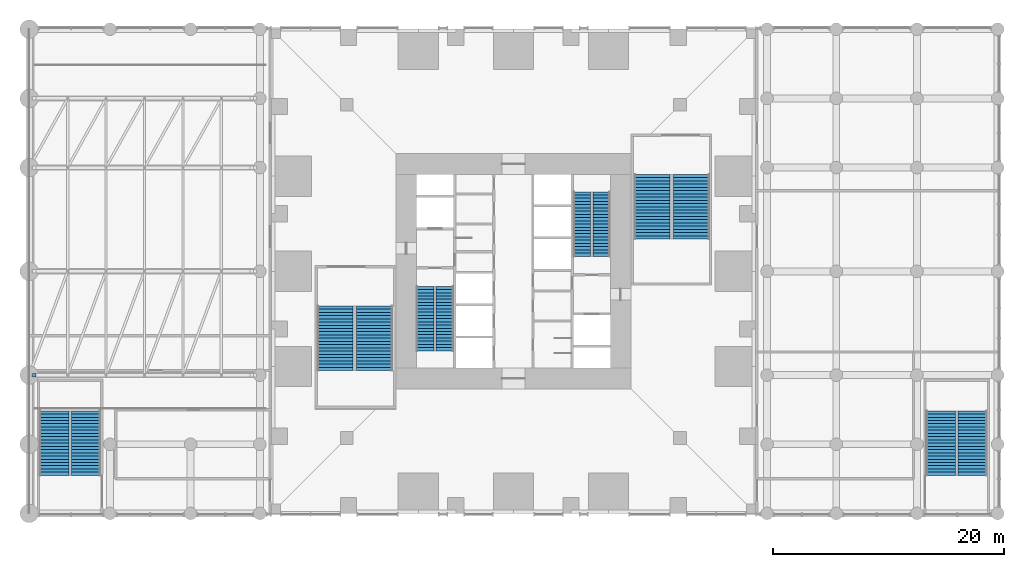
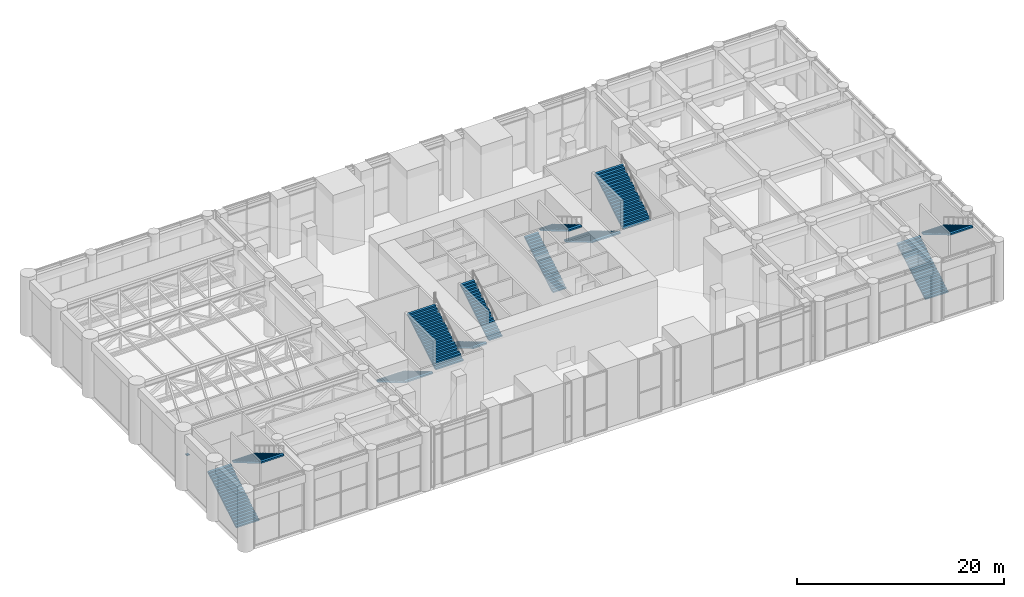
# One storey, part 24 of 30: 12 stair flights, 1 discrete accessory, 6 elements without a shape of their own.
"""IFC4 building model written with IfcOpenShell, lengths in metres."""

import ifcopenshell
import ifcopenshell.guid

model = None  # the IFC model being written
_history = None  # IfcOwnerHistory: only IFC2X3 demands one
_inside = {}  # id of a spatial element -> (the spatial element, [elements in it])
_under = {}  # id of a project, library or spatial element -> (it, [spatial elements below it])
_declared = {}  # id of a project -> (the project, [libraries it declares])
_typed = {}  # id of a type object -> (the type object, [elements of that type])
_made_of = {}  # id of a material, layer set ... -> (it, [elements and type objects made of it])


def new_model(schema):
    """Start an empty IFC model of exactly this schema.

    Asked for "IFC4X3", IfcOpenShell would pick the latest addendum, in which some entities
    have other attributes; the version numbers below select the first issue.
    IFC2X3 requires an IfcOwnerHistory on every rooted entity: one is made here for all.
    """
    global model, _history
    if schema == "IFC4X3":
        model = ifcopenshell.file(schema_version=(4, 3, 0, 0))
    else:
        model = ifcopenshell.file(schema=schema)
    _inside.clear()
    _under.clear()
    _declared.clear()
    _typed.clear()
    _made_of.clear()
    _history = None
    if model.schema == "IFC2X3":
        org = make("IfcOrganization", Name="unknown")
        user = make(
            "IfcPersonAndOrganization",
            ThePerson=make("IfcPerson", FamilyName="unknown"),
            TheOrganization=org,
        )
        app = make(
            "IfcApplication",
            ApplicationDeveloper=org,
            Version="unknown",
            ApplicationFullName="unknown",
            ApplicationIdentifier="unknown",
        )
        _history = make(
            "IfcOwnerHistory",
            OwningUser=user,
            OwningApplication=app,
            ChangeAction="ADDED",
            CreationDate=0,
        )
    return model


def make(cls, **values):
    """One entity of the class cls with the attributes given. An attribute that is None is left unset."""
    return model.create_entity(
        cls, **{name: value for name, value in values.items() if value is not None}
    )


def rooted(cls, **values):
    """An entity with a GlobalId (a new one), such as an element, a storey or a relation."""
    return make(cls, GlobalId=ifcopenshell.guid.new(), OwnerHistory=_history, **values)


def si_unit(unit_type, name, prefix=None):
    """IfcSIUnit, for example si_unit("LENGTHUNIT", "METRE", prefix="MILLI")."""
    return make("IfcSIUnit", UnitType=unit_type, Prefix=prefix, Name=name)


def assignment(units):
    """IfcUnitAssignment: the units of a project."""
    return None if units is None else make("IfcUnitAssignment", Units=units)


def point(xyz):
    """IfcCartesianPoint."""
    return None if xyz is None else make("IfcCartesianPoint", Coordinates=xyz)


def direction(xyz):
    """IfcDirection."""
    return None if xyz is None else make("IfcDirection", DirectionRatios=xyz)


def frame(location, z_axis=None, x_axis=None):
    """IfcAxis2Placement3D, a coordinate frame: its origin and axes. An axis left out is left unset."""
    return make(
        "IfcAxis2Placement3D",
        Location=point(location),
        Axis=direction(z_axis),
        RefDirection=direction(x_axis),
    )


def frame_2d(location, x_axis=None):
    """IfcAxis2Placement2D, a coordinate frame in the plane: its origin and x axis."""
    return make(
        "IfcAxis2Placement2D", Location=point(location), RefDirection=direction(x_axis)
    )


def origin():
    """The frame at (0, 0, 0) with its axes left unset."""
    return frame((0.0, 0.0, 0.0))


def origin_2d():
    """The frame at (0, 0) in the plane with its x axis left unset."""
    return frame_2d((0.0, 0.0))


def place(relative_to, where):
    """IfcLocalPlacement: puts the frame where relative to a parent placement (None: the world)."""
    return make(
        "IfcLocalPlacement", PlacementRelTo=relative_to, RelativePlacement=where
    )


def context(
    kind, dimensions, precision=None, world=None, true_north=None, identifier=None
):
    """IfcGeometricRepresentationContext, for example the 3D "Model" context."""
    return make(
        "IfcGeometricRepresentationContext",
        ContextIdentifier=identifier,
        ContextType=kind,
        CoordinateSpaceDimension=dimensions,
        Precision=precision,
        WorldCoordinateSystem=world,
        TrueNorth=true_north,
    )


def subcontext(parent, identifier, kind, view, scale=None):
    """IfcGeometricRepresentationSubContext, for example "Body" below "Model"."""
    return make(
        "IfcGeometricRepresentationSubContext",
        ContextIdentifier=identifier,
        ContextType=kind,
        ParentContext=parent,
        TargetScale=scale,
        TargetView=view,
    )


def project(units=None, contexts=None):
    """IfcProject with its units and contexts."""
    return rooted(
        "IfcProject",
        Name="project",
        RepresentationContexts=contexts,
        UnitsInContext=assignment(units),
    )


def spatial(cls, under=None, at=None, **own):
    """A site, building, storey or space (cls), placed at a placement, below another one or the project."""
    s = rooted(cls, ObjectPlacement=at, **own)
    if under is not None:
        _under.setdefault(under.id(), (under, []))[1].append(s)
    return s


def polyline(points):
    """IfcPolyline through the points."""
    return make("IfcPolyline", Points=[point(p) for p in points])


def profile(cls, at=None, kind="AREA", **sizes):
    """A parametric profile (cls). Its sizes go by their IFC names, for example OverallWidth=200.0."""
    return make(cls, ProfileType=kind, Position=at, **sizes)


def rectangle(**sizes):
    """IfcRectangleProfileDef."""
    return profile("IfcRectangleProfileDef", **sizes)


def outline(outer, holes=None, kind="AREA"):
    """IfcArbitraryClosedProfileDef: a profile drawn as a closed curve; with holes, ...WithVoids."""
    if holes is None:
        return make("IfcArbitraryClosedProfileDef", ProfileType=kind, OuterCurve=outer)
    return make(
        "IfcArbitraryProfileDefWithVoids",
        ProfileType=kind,
        OuterCurve=outer,
        InnerCurves=holes,
    )


def extrude(swept, where, along, depth):
    """IfcExtrudedAreaSolid: the profile swept, set in the frame where, extruded along a direction by depth."""
    return make(
        "IfcExtrudedAreaSolid",
        SweptArea=swept,
        Position=where,
        ExtrudedDirection=direction(along),
        Depth=depth,
    )


def shape(context_of_items, identifier, shape_type, items):
    """IfcShapeRepresentation: the items that make up one representation, for example the "Body"."""
    return make(
        "IfcShapeRepresentation",
        ContextOfItems=context_of_items,
        RepresentationIdentifier=identifier,
        RepresentationType=shape_type,
        Items=items,
    )


def material(Name=None, Category=None):
    """IfcMaterial."""
    return make("IfcMaterial", Name=Name, Category=Category)


def made_of(thing, what):
    """Note that an element or type object is made of a material, layer set ...; save() writes the relation."""
    if what is not None:
        _made_of.setdefault(what.id(), (what, []))[1].append(thing)
    return thing


def type_object(cls, material=None, **own):
    """A type object (cls), such as IfcWallType, which elements share."""
    return made_of(rooted(cls, **own), material)


def element(
    cls,
    number,
    at=None,
    inside=None,
    cuts=None,
    type_object=None,
    material=None,
    context=None,
    identifier="Body",
    shape_type=None,
    held_by="IfcProductDefinitionShape",
    body=None,
    shapes=None,
    **own,
):
    """One element of the class cls, such as IfcWall. Its Tag is "e" and its number.

    at: its placement. inside: the storey or other place that contains it. cuts: it is an
    opening in that element (IfcRelVoidsElement). A single representation is given by context,
    identifier, shape_type and body (its items); several are given by shapes. held_by: the class
    of the entity that holds the representations. save() writes the other relations.
    """
    e = rooted(cls, Tag="e%d" % number, ObjectPlacement=at, **own)
    if body is not None:
        shapes = [shape(context, identifier, shape_type, body)]
    if shapes is not None:
        e.Representation = make(held_by, Representations=shapes)
    if inside is not None:
        _inside.setdefault(inside.id(), (inside, []))[1].append(e)
    if cuts is not None:
        rooted(
            "IfcRelVoidsElement", RelatingBuildingElement=cuts, RelatedOpeningElement=e
        )
    if type_object is not None:
        _typed.setdefault(type_object.id(), (type_object, []))[1].append(e)
    return made_of(e, material)


def aggregate(whole, parts):
    """IfcRelAggregates: a whole, such as a stair, and the parts it consists of."""
    return rooted("IfcRelAggregates", RelatingObject=whole, RelatedObjects=parts)


def save(model, path):
    """Write the relations noted so far, then the file.

    IfcRelAggregates (storeys below a building ...), IfcRelContainedInSpatialStructure (elements
    in a storey), IfcRelDefinesByType, IfcRelAssociatesMaterial and IfcRelDeclares: one each for
    every whole, place, type object, material and project.
    """
    for whole, parts in _under.values():
        aggregate(whole, parts)
    for where, things in _inside.values():
        rooted(
            "IfcRelContainedInSpatialStructure",
            RelatedElements=things,
            RelatingStructure=where,
        )
    for kind, things in _typed.values():
        rooted("IfcRelDefinesByType", RelatedObjects=things, RelatingType=kind)
    for what, things in _made_of.values():
        rooted("IfcRelAssociatesMaterial", RelatedObjects=things, RelatingMaterial=what)
    for by, libraries in _declared.values():
        rooted("IfcRelDeclares", RelatingContext=by, RelatedDefinitions=libraries)
    model.write(path)


model = new_model("IFC4")

# Units and contexts
model_context = context("Model", 3, precision=1e-05, world=origin(), true_north=direction((0.0, 1.0)))
body_context = subcontext(model_context, "Body", "Model", "MODEL_VIEW")
ifc_project = project(units=[si_unit("LENGTHUNIT", "METRE"), si_unit("AREAUNIT", "SQUARE_METRE"), si_unit("VOLUMEUNIT", "CUBIC_METRE"), si_unit("PLANEANGLEUNIT", "RADIAN"), si_unit("MASSUNIT", "GRAM", prefix="KILO")], contexts=[model_context])

# Site, building, storey
site_placement = place(None, origin())
site = spatial("IfcSite", under=ifc_project, at=site_placement, CompositionType="ELEMENT")
building_placement = place(site_placement, origin())
building = spatial("IfcBuilding", under=site, at=building_placement, Name="Svetlomir Tower", CompositionType="ELEMENT")
storey_placement = place(building_placement, frame((0.0, 0.0, 11.0)))
storey = spatial("IfcBuildingStorey", under=building, at=storey_placement, Name="L02", CompositionType="ELEMENT", Elevation=11.0)

# Stair, stair flights
ifc_material_1 = material(Name="Concrete C60/75", Category="concrete")
stair_type_1 = type_object("IfcStairType", Name="EXIT STAIR 3200 RISE 7000", PredefinedType="HALF_TURN_STAIR", material=ifc_material_1)
stair_1_placement = place(storey_placement, origin())
stair_1 = element("IfcStair", 1, at=stair_1_placement, inside=storey, type_object=stair_type_1, Name="Stair S1 L02 to L03", PredefinedType="HALF_TURN_STAIR")
ifc_material_2 = material(Name="Concrete C60/75", Category="concrete")
stair_flight_type_1 = type_object("IfcStairFlightType", Name="STAIR FLIGHT 1500 OF 21 RISERS", PredefinedType="STRAIGHT", material=ifc_material_2)
stair_flight_1_placement = place(storey_placement, frame((13.35009765625, 19.699951171875, 0.0), z_axis=(0.0, 0.0, 1.0), x_axis=(0.0, -1.0, 0.0)))
stair_flight_1 = element("IfcStairFlight", 2, at=stair_flight_1_placement, type_object=stair_flight_type_1, Name="S1 flight 1", NumberOfRisers=21, NumberOfTreads=20, PredefinedType="STRAIGHT", RiserHeight=0.166666667, TreadLength=0.28, context=body_context, shape_type="SweptSolid", body=[
    extrude(outline(polyline([(0.0, 0.0), (0.0, 0.166748046875), (0.280029296875, 0.166748046875), (0.280029296875, 0.333251953125), (0.56005859375, 0.333251953125), (0.56005859375, 0.5), (0.840087890625, 0.5), (0.840087890625, 0.666748046875), (1.1201171875, 0.666748046875), (1.1201171875, 0.833251953125), (1.39990234375, 0.833251953125), (1.39990234375, 1.0), (1.679931640625, 1.0), (1.679931640625, 1.166748046875), (1.9599609375, 1.166748046875), (1.9599609375, 1.333251953125), (2.239990234375, 1.333251953125), (2.239990234375, 1.5), (2.52001953125, 1.5), (2.52001953125, 1.666748046875), (2.800048828125, 1.666748046875), (2.800048828125, 1.833251953125), (3.080078125, 1.833251953125), (3.080078125, 2.0), (3.360107421875, 2.0), (3.360107421875, 2.166748046875), (3.639892578125, 2.166748046875), (3.639892578125, 2.333251953125), (3.919921875, 2.333251953125), (3.919921875, 2.5), (4.199951171875, 2.5), (4.199951171875, 2.666748046875), (4.47998046875, 2.666748046875), (4.47998046875, 2.833251953125), (4.760009765625, 2.833251953125), (4.760009765625, 3.0), (5.0400390625, 3.0), (5.0400390625, 3.166748046875), (5.320068359375, 3.166748046875), (5.320068359375, 3.333251953125), (5.60009765625, 3.333251953125), (5.60009765625, 3.5), (5.60009765625, 3.158935546875), (0.29296875, 0.0), (0.0, 0.0)])), frame((0.0, 0.75, 0.0), z_axis=(0.0, -1.0, 0.0), x_axis=(1.0, 0.0, 0.0)), (0.0, 0.0, 1.0), 1.5),
])
stair_flight_2_placement = place(storey_placement, frame((15.050048828125, 14.10009765625, 3.5), z_axis=(0.0, 0.0, 1.0), x_axis=(0.0, 1.0, 0.0)))
stair_flight_2 = element("IfcStairFlight", 3, at=stair_flight_2_placement, type_object=stair_flight_type_1, Name="S1 flight 2", NumberOfRisers=21, NumberOfTreads=20, PredefinedType="STRAIGHT", RiserHeight=0.166666667, TreadLength=0.28, context=body_context, shape_type="SweptSolid", body=[
    extrude(outline(polyline([(0.0, 0.0), (0.0, 0.166748046875), (0.280029296875, 0.166748046875), (0.280029296875, 0.333251953125), (0.56005859375, 0.333251953125), (0.56005859375, 0.5), (0.840087890625, 0.5), (0.840087890625, 0.666748046875), (1.1201171875, 0.666748046875), (1.1201171875, 0.833251953125), (1.39990234375, 0.833251953125), (1.39990234375, 1.0), (1.679931640625, 1.0), (1.679931640625, 1.166748046875), (1.9599609375, 1.166748046875), (1.9599609375, 1.333251953125), (2.239990234375, 1.333251953125), (2.239990234375, 1.5), (2.52001953125, 1.5), (2.52001953125, 1.666748046875), (2.800048828125, 1.666748046875), (2.800048828125, 1.833251953125), (3.080078125, 1.833251953125), (3.080078125, 2.0), (3.360107421875, 2.0), (3.360107421875, 2.166748046875), (3.639892578125, 2.166748046875), (3.639892578125, 2.333251953125), (3.919921875, 2.333251953125), (3.919921875, 2.5), (4.199951171875, 2.5), (4.199951171875, 2.666748046875), (4.47998046875, 2.666748046875), (4.47998046875, 2.833251953125), (4.760009765625, 2.833251953125), (4.760009765625, 3.0), (5.0400390625, 3.0), (5.0400390625, 3.166748046875), (5.320068359375, 3.166748046875), (5.320068359375, 3.333251953125), (5.60009765625, 3.333251953125), (5.60009765625, 3.5), (5.60009765625, 3.158935546875), (0.29296875, 0.0), (0.0, 0.0)])), frame((0.0, 0.75, 0.0), z_axis=(0.0, -1.0, 0.0), x_axis=(1.0, 0.0, 0.0)), (0.0, 0.0, 1.0), 1.5),
])
aggregate(stair_1, [stair_flight_1, stair_flight_2])

stair_2_placement = place(storey_placement, origin())
stair_2 = element("IfcStair", 4, at=stair_2_placement, inside=storey, type_object=stair_type_1, Name="Stair S2 L02 to L03", PredefinedType="HALF_TURN_STAIR")
stair_flight_3_placement = place(storey_placement, frame((26.949951171875, 22.300048828125, 0.0), z_axis=(0.0, 0.0, 1.0), x_axis=(0.0, 1.0, 0.0)))
stair_flight_3 = element("IfcStairFlight", 5, at=stair_flight_3_placement, type_object=stair_flight_type_1, Name="S2 flight 1", NumberOfRisers=21, NumberOfTreads=20, PredefinedType="STRAIGHT", RiserHeight=0.166666667, TreadLength=0.28, context=body_context, shape_type="SweptSolid", body=[
    extrude(outline(polyline([(0.0, 0.0), (0.0, 0.166748046875), (0.280029296875, 0.166748046875), (0.280029296875, 0.333251953125), (0.56005859375, 0.333251953125), (0.56005859375, 0.5), (0.840087890625, 0.5), (0.840087890625, 0.666748046875), (1.1201171875, 0.666748046875), (1.1201171875, 0.833251953125), (1.39990234375, 0.833251953125), (1.39990234375, 1.0), (1.679931640625, 1.0), (1.679931640625, 1.166748046875), (1.9599609375, 1.166748046875), (1.9599609375, 1.333251953125), (2.239990234375, 1.333251953125), (2.239990234375, 1.5), (2.52001953125, 1.5), (2.52001953125, 1.666748046875), (2.800048828125, 1.666748046875), (2.800048828125, 1.833251953125), (3.080078125, 1.833251953125), (3.080078125, 2.0), (3.360107421875, 2.0), (3.360107421875, 2.166748046875), (3.639892578125, 2.166748046875), (3.639892578125, 2.333251953125), (3.919921875, 2.333251953125), (3.919921875, 2.5), (4.199951171875, 2.5), (4.199951171875, 2.666748046875), (4.47998046875, 2.666748046875), (4.47998046875, 2.833251953125), (4.760009765625, 2.833251953125), (4.760009765625, 3.0), (5.0400390625, 3.0), (5.0400390625, 3.166748046875), (5.320068359375, 3.166748046875), (5.320068359375, 3.333251953125), (5.60009765625, 3.333251953125), (5.60009765625, 3.5), (5.60009765625, 3.158935546875), (0.29296875, 0.0), (0.0, 0.0)])), frame((0.0, 0.75, 0.0), z_axis=(0.0, -1.0, 0.0), x_axis=(1.0, 0.0, 0.0)), (0.0, 0.0, 1.0), 1.5),
])
stair_flight_4_placement = place(storey_placement, frame((28.64990234375, 27.89990234375, 3.5), z_axis=(0.0, 0.0, 1.0), x_axis=(0.0, -1.0, 0.0)))
stair_flight_4 = element("IfcStairFlight", 6, at=stair_flight_4_placement, type_object=stair_flight_type_1, Name="S2 flight 2", NumberOfRisers=21, NumberOfTreads=20, PredefinedType="STRAIGHT", RiserHeight=0.166666667, TreadLength=0.28, context=body_context, shape_type="SweptSolid", body=[
    extrude(outline(polyline([(0.0, 0.0), (0.0, 0.166748046875), (0.280029296875, 0.166748046875), (0.280029296875, 0.333251953125), (0.56005859375, 0.333251953125), (0.56005859375, 0.5), (0.840087890625, 0.5), (0.840087890625, 0.666748046875), (1.1201171875, 0.666748046875), (1.1201171875, 0.833251953125), (1.39990234375, 0.833251953125), (1.39990234375, 1.0), (1.679931640625, 1.0), (1.679931640625, 1.166748046875), (1.9599609375, 1.166748046875), (1.9599609375, 1.333251953125), (2.239990234375, 1.333251953125), (2.239990234375, 1.5), (2.52001953125, 1.5), (2.52001953125, 1.666748046875), (2.800048828125, 1.666748046875), (2.800048828125, 1.833251953125), (3.080078125, 1.833251953125), (3.080078125, 2.0), (3.360107421875, 2.0), (3.360107421875, 2.166748046875), (3.639892578125, 2.166748046875), (3.639892578125, 2.333251953125), (3.919921875, 2.333251953125), (3.919921875, 2.5), (4.199951171875, 2.5), (4.199951171875, 2.666748046875), (4.47998046875, 2.666748046875), (4.47998046875, 2.833251953125), (4.760009765625, 2.833251953125), (4.760009765625, 3.0), (5.0400390625, 3.0), (5.0400390625, 3.166748046875), (5.320068359375, 3.166748046875), (5.320068359375, 3.333251953125), (5.60009765625, 3.333251953125), (5.60009765625, 3.5), (5.60009765625, 3.158935546875), (0.29296875, 0.0), (0.0, 0.0)])), frame((0.0, 0.75, 0.0), z_axis=(0.0, -1.0, 0.0), x_axis=(1.0, 0.0, 0.0)), (0.0, 0.0, 1.0), 1.5),
])
aggregate(stair_2, [stair_flight_3, stair_flight_4])

ifc_material_3 = material(Name="Concrete C60/75", Category="concrete")
stair_type_2 = type_object("IfcStairType", Name="EXIT STAIR 5300 RISE 7000", PredefinedType="HALF_TURN_STAIR", material=ifc_material_3)
stair_3_placement = place(storey_placement, origin())
stair_3 = element("IfcStair", 7, at=stair_3_placement, inside=storey, type_object=stair_type_2, Name="Stair P3 L02 to L03", PredefinedType="HALF_TURN_STAIR")
ifc_material_4 = material(Name="Concrete C60/75", Category="concrete")
stair_flight_type_2 = type_object("IfcStairFlightType", Name="STAIR FLIGHT 2550 OF 21 RISERS", PredefinedType="STRAIGHT", material=ifc_material_4)
stair_flight_5_placement = place(storey_placement, frame((-18.824951171875, 3.300048828125, 0.0), z_axis=(0.0, 0.0, 1.0), x_axis=(0.0, 1.0, 0.0)))
stair_flight_5 = element("IfcStairFlight", 8, at=stair_flight_5_placement, type_object=stair_flight_type_2, Name="P3 flight 1", NumberOfRisers=21, NumberOfTreads=20, PredefinedType="STRAIGHT", RiserHeight=0.166666667, TreadLength=0.28, context=body_context, shape_type="SweptSolid", body=[
    extrude(outline(polyline([(0.0, 0.0), (0.0, 0.166748046875), (0.280029296875, 0.166748046875), (0.280029296875, 0.333251953125), (0.56005859375, 0.333251953125), (0.56005859375, 0.5), (0.840087890625, 0.5), (0.840087890625, 0.666748046875), (1.1201171875, 0.666748046875), (1.1201171875, 0.833251953125), (1.39990234375, 0.833251953125), (1.39990234375, 1.0), (1.679931640625, 1.0), (1.679931640625, 1.166748046875), (1.9599609375, 1.166748046875), (1.9599609375, 1.333251953125), (2.239990234375, 1.333251953125), (2.239990234375, 1.5), (2.52001953125, 1.5), (2.52001953125, 1.666748046875), (2.800048828125, 1.666748046875), (2.800048828125, 1.833251953125), (3.080078125, 1.833251953125), (3.080078125, 2.0), (3.360107421875, 2.0), (3.360107421875, 2.166748046875), (3.639892578125, 2.166748046875), (3.639892578125, 2.333251953125), (3.919921875, 2.333251953125), (3.919921875, 2.5), (4.199951171875, 2.5), (4.199951171875, 2.666748046875), (4.47998046875, 2.666748046875), (4.47998046875, 2.833251953125), (4.760009765625, 2.833251953125), (4.760009765625, 3.0), (5.0400390625, 3.0), (5.0400390625, 3.166748046875), (5.320068359375, 3.166748046875), (5.320068359375, 3.333251953125), (5.60009765625, 3.333251953125), (5.60009765625, 3.5), (5.60009765625, 3.158935546875), (0.29296875, 0.0), (0.0, 0.0)])), frame((0.0, 1.27490234375, 0.0), z_axis=(0.0, -1.0, 0.0), x_axis=(1.0, 0.0, 0.0)), (0.0, 0.0, 1.0), 2.550048828125),
])
stair_flight_6_placement = place(storey_placement, frame((-16.074951171875, 8.89990234375, 3.5), z_axis=(0.0, 0.0, 1.0), x_axis=(0.0, -1.0, 0.0)))
stair_flight_6 = element("IfcStairFlight", 9, at=stair_flight_6_placement, type_object=stair_flight_type_2, Name="P3 flight 2", NumberOfRisers=21, NumberOfTreads=20, PredefinedType="STRAIGHT", RiserHeight=0.166666667, TreadLength=0.28, context=body_context, shape_type="SweptSolid", body=[
    extrude(outline(polyline([(0.0, 0.0), (0.0, 0.166748046875), (0.280029296875, 0.166748046875), (0.280029296875, 0.333251953125), (0.56005859375, 0.333251953125), (0.56005859375, 0.5), (0.840087890625, 0.5), (0.840087890625, 0.666748046875), (1.1201171875, 0.666748046875), (1.1201171875, 0.833251953125), (1.39990234375, 0.833251953125), (1.39990234375, 1.0), (1.679931640625, 1.0), (1.679931640625, 1.166748046875), (1.9599609375, 1.166748046875), (1.9599609375, 1.333251953125), (2.239990234375, 1.333251953125), (2.239990234375, 1.5), (2.52001953125, 1.5), (2.52001953125, 1.666748046875), (2.800048828125, 1.666748046875), (2.800048828125, 1.833251953125), (3.080078125, 1.833251953125), (3.080078125, 2.0), (3.360107421875, 2.0), (3.360107421875, 2.166748046875), (3.639892578125, 2.166748046875), (3.639892578125, 2.333251953125), (3.919921875, 2.333251953125), (3.919921875, 2.5), (4.199951171875, 2.5), (4.199951171875, 2.666748046875), (4.47998046875, 2.666748046875), (4.47998046875, 2.833251953125), (4.760009765625, 2.833251953125), (4.760009765625, 3.0), (5.0400390625, 3.0), (5.0400390625, 3.166748046875), (5.320068359375, 3.166748046875), (5.320068359375, 3.333251953125), (5.60009765625, 3.333251953125), (5.60009765625, 3.5), (5.60009765625, 3.158935546875), (0.29296875, 0.0), (0.0, 0.0)])), frame((0.0, 1.27490234375, 0.0), z_axis=(0.0, -1.0, 0.0), x_axis=(1.0, 0.0, 0.0)), (0.0, 0.0, 1.0), 2.550048828125),
])
aggregate(stair_3, [stair_flight_5, stair_flight_6])

stair_4_placement = place(storey_placement, origin())
stair_4 = element("IfcStair", 10, at=stair_4_placement, inside=storey, type_object=stair_type_2, Name="Stair P4 L02 to L03", PredefinedType="HALF_TURN_STAIR")
stair_flight_7_placement = place(storey_placement, frame((58.074951171875, 3.300048828125, 0.0), z_axis=(0.0, 0.0, 1.0), x_axis=(0.0, 1.0, 0.0)))
stair_flight_7 = element("IfcStairFlight", 11, at=stair_flight_7_placement, type_object=stair_flight_type_2, Name="P4 flight 1", NumberOfRisers=21, NumberOfTreads=20, PredefinedType="STRAIGHT", RiserHeight=0.166666667, TreadLength=0.28, context=body_context, shape_type="SweptSolid", body=[
    extrude(outline(polyline([(0.0, 0.0), (0.0, 0.166748046875), (0.280029296875, 0.166748046875), (0.280029296875, 0.333251953125), (0.56005859375, 0.333251953125), (0.56005859375, 0.5), (0.840087890625, 0.5), (0.840087890625, 0.666748046875), (1.1201171875, 0.666748046875), (1.1201171875, 0.833251953125), (1.39990234375, 0.833251953125), (1.39990234375, 1.0), (1.679931640625, 1.0), (1.679931640625, 1.166748046875), (1.9599609375, 1.166748046875), (1.9599609375, 1.333251953125), (2.239990234375, 1.333251953125), (2.239990234375, 1.5), (2.52001953125, 1.5), (2.52001953125, 1.666748046875), (2.800048828125, 1.666748046875), (2.800048828125, 1.833251953125), (3.080078125, 1.833251953125), (3.080078125, 2.0), (3.360107421875, 2.0), (3.360107421875, 2.166748046875), (3.639892578125, 2.166748046875), (3.639892578125, 2.333251953125), (3.919921875, 2.333251953125), (3.919921875, 2.5), (4.199951171875, 2.5), (4.199951171875, 2.666748046875), (4.47998046875, 2.666748046875), (4.47998046875, 2.833251953125), (4.760009765625, 2.833251953125), (4.760009765625, 3.0), (5.0400390625, 3.0), (5.0400390625, 3.166748046875), (5.320068359375, 3.166748046875), (5.320068359375, 3.333251953125), (5.60009765625, 3.333251953125), (5.60009765625, 3.5), (5.60009765625, 3.158935546875), (0.29296875, 0.0), (0.0, 0.0)])), frame((0.0, 1.27490234375, 0.0), z_axis=(0.0, -1.0, 0.0), x_axis=(1.0, 0.0, 0.0)), (0.0, 0.0, 1.0), 2.550048828125),
])
stair_flight_8_placement = place(storey_placement, frame((60.824951171875, 8.89990234375, 3.5), z_axis=(0.0, 0.0, 1.0), x_axis=(0.0, -1.0, 0.0)))
stair_flight_8 = element("IfcStairFlight", 12, at=stair_flight_8_placement, type_object=stair_flight_type_2, Name="P4 flight 2", NumberOfRisers=21, NumberOfTreads=20, PredefinedType="STRAIGHT", RiserHeight=0.166666667, TreadLength=0.28, context=body_context, shape_type="SweptSolid", body=[
    extrude(outline(polyline([(0.0, 0.0), (0.0, 0.166748046875), (0.280029296875, 0.166748046875), (0.280029296875, 0.333251953125), (0.56005859375, 0.333251953125), (0.56005859375, 0.5), (0.840087890625, 0.5), (0.840087890625, 0.666748046875), (1.1201171875, 0.666748046875), (1.1201171875, 0.833251953125), (1.39990234375, 0.833251953125), (1.39990234375, 1.0), (1.679931640625, 1.0), (1.679931640625, 1.166748046875), (1.9599609375, 1.166748046875), (1.9599609375, 1.333251953125), (2.239990234375, 1.333251953125), (2.239990234375, 1.5), (2.52001953125, 1.5), (2.52001953125, 1.666748046875), (2.800048828125, 1.666748046875), (2.800048828125, 1.833251953125), (3.080078125, 1.833251953125), (3.080078125, 2.0), (3.360107421875, 2.0), (3.360107421875, 2.166748046875), (3.639892578125, 2.166748046875), (3.639892578125, 2.333251953125), (3.919921875, 2.333251953125), (3.919921875, 2.5), (4.199951171875, 2.5), (4.199951171875, 2.666748046875), (4.47998046875, 2.666748046875), (4.47998046875, 2.833251953125), (4.760009765625, 2.833251953125), (4.760009765625, 3.0), (5.0400390625, 3.0), (5.0400390625, 3.166748046875), (5.320068359375, 3.166748046875), (5.320068359375, 3.333251953125), (5.60009765625, 3.333251953125), (5.60009765625, 3.5), (5.60009765625, 3.158935546875), (0.29296875, 0.0), (0.0, 0.0)])), frame((0.0, 1.27490234375, 0.0), z_axis=(0.0, -1.0, 0.0), x_axis=(1.0, 0.0, 0.0)), (0.0, 0.0, 1.0), 2.550048828125),
])
aggregate(stair_4, [stair_flight_7, stair_flight_8])

ifc_material_5 = material(Name="Concrete C60/75", Category="concrete")
stair_type_3 = type_object("IfcStairType", Name="EXIT STAIR 6600 RISE 7000", PredefinedType="HALF_TURN_STAIR", material=ifc_material_5)
stair_5_placement = place(storey_placement, origin())
stair_5 = element("IfcStair", 13, at=stair_5_placement, inside=storey, type_object=stair_type_3, Name="Stair P1 L02 to L03", PredefinedType="HALF_TURN_STAIR")
ifc_material_6 = material(Name="Concrete C60/75", Category="concrete")
stair_flight_type_3 = type_object("IfcStairFlightType", Name="STAIR FLIGHT 3100 OF 21 RISERS", PredefinedType="STRAIGHT", material=ifc_material_6)
stair_flight_9_placement = place(storey_placement, frame((5.550048828125, 18.0, 0.0), z_axis=(0.0, 0.0, 1.0), x_axis=(0.0, -1.0, 0.0)))
stair_flight_9 = element("IfcStairFlight", 14, at=stair_flight_9_placement, type_object=stair_flight_type_3, Name="P1 flight 1", NumberOfRisers=21, NumberOfTreads=20, PredefinedType="STRAIGHT", RiserHeight=0.166666667, TreadLength=0.28, context=body_context, shape_type="SweptSolid", body=[
    extrude(outline(polyline([(0.0, 0.0), (0.0, 0.166748046875), (0.280029296875, 0.166748046875), (0.280029296875, 0.333251953125), (0.56005859375, 0.333251953125), (0.56005859375, 0.5), (0.840087890625, 0.5), (0.840087890625, 0.666748046875), (1.1201171875, 0.666748046875), (1.1201171875, 0.833251953125), (1.39990234375, 0.833251953125), (1.39990234375, 1.0), (1.679931640625, 1.0), (1.679931640625, 1.166748046875), (1.9599609375, 1.166748046875), (1.9599609375, 1.333251953125), (2.239990234375, 1.333251953125), (2.239990234375, 1.5), (2.52001953125, 1.5), (2.52001953125, 1.666748046875), (2.800048828125, 1.666748046875), (2.800048828125, 1.833251953125), (3.080078125, 1.833251953125), (3.080078125, 2.0), (3.360107421875, 2.0), (3.360107421875, 2.166748046875), (3.639892578125, 2.166748046875), (3.639892578125, 2.333251953125), (3.919921875, 2.333251953125), (3.919921875, 2.5), (4.199951171875, 2.5), (4.199951171875, 2.666748046875), (4.47998046875, 2.666748046875), (4.47998046875, 2.833251953125), (4.760009765625, 2.833251953125), (4.760009765625, 3.0), (5.0400390625, 3.0), (5.0400390625, 3.166748046875), (5.320068359375, 3.166748046875), (5.320068359375, 3.333251953125), (5.60009765625, 3.333251953125), (5.60009765625, 3.5), (5.60009765625, 3.158935546875), (0.29296875, 0.0), (0.0, 0.0)])), frame((0.0, 1.550048828125, 0.0), z_axis=(0.0, -1.0, 0.0), x_axis=(1.0, 0.0, 0.0)), (0.0, 0.0, 1.0), 3.10009765625),
])
stair_flight_10_placement = place(storey_placement, frame((8.949951171875, 12.39990234375, 3.5), z_axis=(0.0, 0.0, 1.0), x_axis=(0.0, 1.0, 0.0)))
stair_flight_10 = element("IfcStairFlight", 15, at=stair_flight_10_placement, type_object=stair_flight_type_3, Name="P1 flight 2", NumberOfRisers=21, NumberOfTreads=20, PredefinedType="STRAIGHT", RiserHeight=0.166666667, TreadLength=0.28, context=body_context, shape_type="SweptSolid", body=[
    extrude(outline(polyline([(0.0, 0.0), (0.0, 0.166748046875), (0.280029296875, 0.166748046875), (0.280029296875, 0.333251953125), (0.56005859375, 0.333251953125), (0.56005859375, 0.5), (0.840087890625, 0.5), (0.840087890625, 0.666748046875), (1.1201171875, 0.666748046875), (1.1201171875, 0.833251953125), (1.39990234375, 0.833251953125), (1.39990234375, 1.0), (1.679931640625, 1.0), (1.679931640625, 1.166748046875), (1.9599609375, 1.166748046875), (1.9599609375, 1.333251953125), (2.239990234375, 1.333251953125), (2.239990234375, 1.5), (2.52001953125, 1.5), (2.52001953125, 1.666748046875), (2.800048828125, 1.666748046875), (2.800048828125, 1.833251953125), (3.080078125, 1.833251953125), (3.080078125, 2.0), (3.360107421875, 2.0), (3.360107421875, 2.166748046875), (3.639892578125, 2.166748046875), (3.639892578125, 2.333251953125), (3.919921875, 2.333251953125), (3.919921875, 2.5), (4.199951171875, 2.5), (4.199951171875, 2.666748046875), (4.47998046875, 2.666748046875), (4.47998046875, 2.833251953125), (4.760009765625, 2.833251953125), (4.760009765625, 3.0), (5.0400390625, 3.0), (5.0400390625, 3.166748046875), (5.320068359375, 3.166748046875), (5.320068359375, 3.333251953125), (5.60009765625, 3.333251953125), (5.60009765625, 3.5), (5.60009765625, 3.158935546875), (0.29296875, 0.0), (0.0, 0.0)])), frame((0.0, 1.550048828125, 0.0), z_axis=(0.0, -1.0, 0.0), x_axis=(1.0, 0.0, 0.0)), (0.0, 0.0, 1.0), 3.10009765625),
])
aggregate(stair_5, [stair_flight_9, stair_flight_10])

stair_6_placement = place(storey_placement, origin())
stair_6 = element("IfcStair", 16, at=stair_6_placement, inside=storey, type_object=stair_type_3, Name="Stair P2 L02 to L03", PredefinedType="HALF_TURN_STAIR")
stair_flight_11_placement = place(storey_placement, frame((33.050048828125, 29.39990234375, 0.0), z_axis=(0.0, 0.0, 1.0), x_axis=(0.0, -1.0, 0.0)))
stair_flight_11 = element("IfcStairFlight", 17, at=stair_flight_11_placement, type_object=stair_flight_type_3, Name="P2 flight 1", NumberOfRisers=21, NumberOfTreads=20, PredefinedType="STRAIGHT", RiserHeight=0.166666667, TreadLength=0.28, context=body_context, shape_type="SweptSolid", body=[
    extrude(outline(polyline([(0.0, 0.0), (0.0, 0.166748046875), (0.280029296875, 0.166748046875), (0.280029296875, 0.333251953125), (0.56005859375, 0.333251953125), (0.56005859375, 0.5), (0.840087890625, 0.5), (0.840087890625, 0.666748046875), (1.1201171875, 0.666748046875), (1.1201171875, 0.833251953125), (1.39990234375, 0.833251953125), (1.39990234375, 1.0), (1.679931640625, 1.0), (1.679931640625, 1.166748046875), (1.9599609375, 1.166748046875), (1.9599609375, 1.333251953125), (2.239990234375, 1.333251953125), (2.239990234375, 1.5), (2.52001953125, 1.5), (2.52001953125, 1.666748046875), (2.800048828125, 1.666748046875), (2.800048828125, 1.833251953125), (3.080078125, 1.833251953125), (3.080078125, 2.0), (3.360107421875, 2.0), (3.360107421875, 2.166748046875), (3.639892578125, 2.166748046875), (3.639892578125, 2.333251953125), (3.919921875, 2.333251953125), (3.919921875, 2.5), (4.199951171875, 2.5), (4.199951171875, 2.666748046875), (4.47998046875, 2.666748046875), (4.47998046875, 2.833251953125), (4.760009765625, 2.833251953125), (4.760009765625, 3.0), (5.0400390625, 3.0), (5.0400390625, 3.166748046875), (5.320068359375, 3.166748046875), (5.320068359375, 3.333251953125), (5.60009765625, 3.333251953125), (5.60009765625, 3.5), (5.60009765625, 3.158935546875), (0.29296875, 0.0), (0.0, 0.0)])), frame((0.0, 1.550048828125, 0.0), z_axis=(0.0, -1.0, 0.0), x_axis=(1.0, 0.0, 0.0)), (0.0, 0.0, 1.0), 3.10009765625),
])
stair_flight_12_placement = place(storey_placement, frame((36.449951171875, 23.800048828125, 3.5), z_axis=(0.0, 0.0, 1.0), x_axis=(0.0, 1.0, 0.0)))
stair_flight_12 = element("IfcStairFlight", 18, at=stair_flight_12_placement, type_object=stair_flight_type_3, Name="P2 flight 2", NumberOfRisers=21, NumberOfTreads=20, PredefinedType="STRAIGHT", RiserHeight=0.166666667, TreadLength=0.28, context=body_context, shape_type="SweptSolid", body=[
    extrude(outline(polyline([(0.0, 0.0), (0.0, 0.166748046875), (0.280029296875, 0.166748046875), (0.280029296875, 0.333251953125), (0.56005859375, 0.333251953125), (0.56005859375, 0.5), (0.840087890625, 0.5), (0.840087890625, 0.666748046875), (1.1201171875, 0.666748046875), (1.1201171875, 0.833251953125), (1.39990234375, 0.833251953125), (1.39990234375, 1.0), (1.679931640625, 1.0), (1.679931640625, 1.166748046875), (1.9599609375, 1.166748046875), (1.9599609375, 1.333251953125), (2.239990234375, 1.333251953125), (2.239990234375, 1.5), (2.52001953125, 1.5), (2.52001953125, 1.666748046875), (2.800048828125, 1.666748046875), (2.800048828125, 1.833251953125), (3.080078125, 1.833251953125), (3.080078125, 2.0), (3.360107421875, 2.0), (3.360107421875, 2.166748046875), (3.639892578125, 2.166748046875), (3.639892578125, 2.333251953125), (3.919921875, 2.333251953125), (3.919921875, 2.5), (4.199951171875, 2.5), (4.199951171875, 2.666748046875), (4.47998046875, 2.666748046875), (4.47998046875, 2.833251953125), (4.760009765625, 2.833251953125), (4.760009765625, 3.0), (5.0400390625, 3.0), (5.0400390625, 3.166748046875), (5.320068359375, 3.166748046875), (5.320068359375, 3.333251953125), (5.60009765625, 3.333251953125), (5.60009765625, 3.5), (5.60009765625, 3.158935546875), (0.29296875, 0.0), (0.0, 0.0)])), frame((0.0, 1.550048828125, 0.0), z_axis=(0.0, -1.0, 0.0), x_axis=(1.0, 0.0, 0.0)), (0.0, 0.0, 1.0), 3.10009765625),
])
aggregate(stair_6, [stair_flight_11, stair_flight_12])

# Discrete accessory
discrete_accessory_placement = place(storey_placement, frame((-20.550048828125, 12.0, 3.5556640625), z_axis=(0.0, 0.0, 1.0), x_axis=(1.0, 0.0, 0.0)))
element("IfcDiscreteAccessory", 19, at=discrete_accessory_placement, inside=storey, Name="Auditorium truss 12 bottom chord bearing W", PredefinedType="NOTDEFINED", context=body_context, shape_type="SweptSolid", body=[
    extrude(rectangle(XDim=0.300048828125, YDim=0.300048828125, at=origin_2d()), origin(), (0.0, 0.0, 1.0), 0.050048828125),
])

save(model, "model.ifc")
